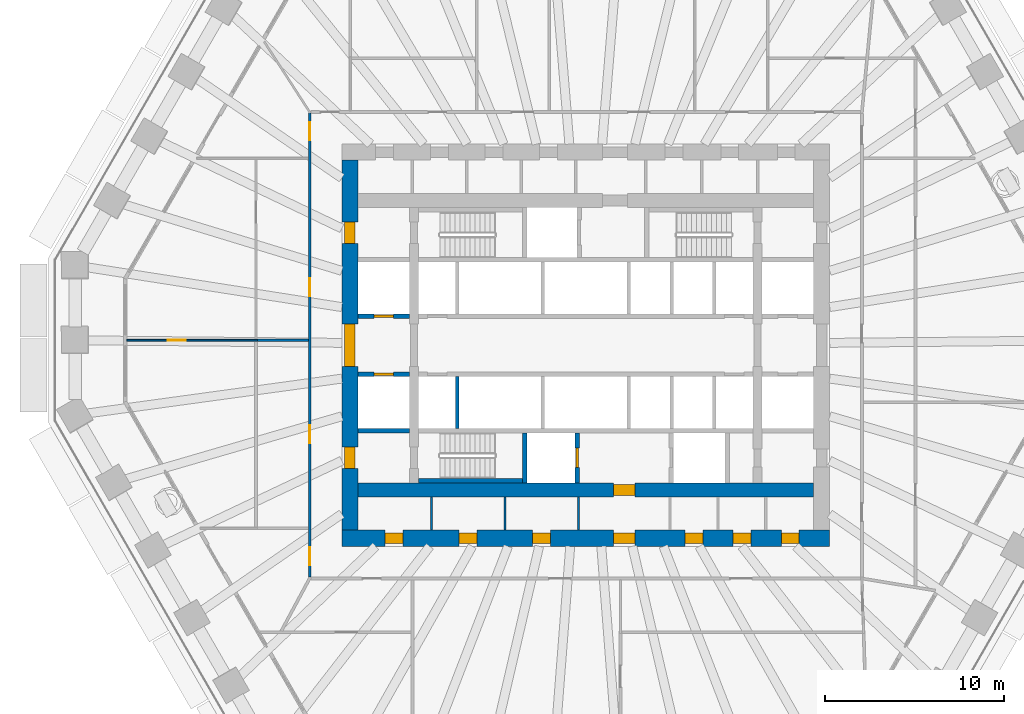
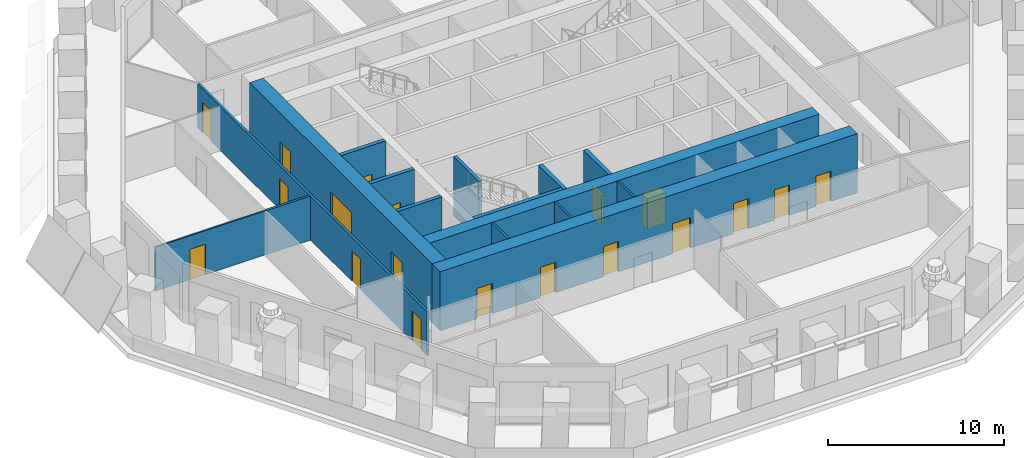
# One storey, part 4 of 13: 19 doors, 16 walls, 19 openings.
"""IFC4 building model written with IfcOpenShell, lengths in metres."""

import ifcopenshell
import ifcopenshell.guid

model = None  # the IFC model being written
_history = None  # IfcOwnerHistory: only IFC2X3 demands one
_inside = {}  # id of a spatial element -> (the spatial element, [elements in it])
_under = {}  # id of a project, library or spatial element -> (it, [spatial elements below it])
_declared = {}  # id of a project -> (the project, [libraries it declares])
_typed = {}  # id of a type object -> (the type object, [elements of that type])
_made_of = {}  # id of a material, layer set ... -> (it, [elements and type objects made of it])


def new_model(schema):
    """Start an empty IFC model of exactly this schema.

    Asked for "IFC4X3", IfcOpenShell would pick the latest addendum, in which some entities
    have other attributes; the version numbers below select the first issue.
    IFC2X3 requires an IfcOwnerHistory on every rooted entity: one is made here for all.
    """
    global model, _history
    if schema == "IFC4X3":
        model = ifcopenshell.file(schema_version=(4, 3, 0, 0))
    else:
        model = ifcopenshell.file(schema=schema)
    _inside.clear()
    _under.clear()
    _declared.clear()
    _typed.clear()
    _made_of.clear()
    _history = None
    if model.schema == "IFC2X3":
        org = make("IfcOrganization", Name="unknown")
        user = make(
            "IfcPersonAndOrganization",
            ThePerson=make("IfcPerson", FamilyName="unknown"),
            TheOrganization=org,
        )
        app = make(
            "IfcApplication",
            ApplicationDeveloper=org,
            Version="unknown",
            ApplicationFullName="unknown",
            ApplicationIdentifier="unknown",
        )
        _history = make(
            "IfcOwnerHistory",
            OwningUser=user,
            OwningApplication=app,
            ChangeAction="ADDED",
            CreationDate=0,
        )
    return model


def make(cls, **values):
    """One entity of the class cls with the attributes given. An attribute that is None is left unset."""
    return model.create_entity(
        cls, **{name: value for name, value in values.items() if value is not None}
    )


def rooted(cls, **values):
    """An entity with a GlobalId (a new one), such as an element, a storey or a relation."""
    return make(cls, GlobalId=ifcopenshell.guid.new(), OwnerHistory=_history, **values)


def si_unit(unit_type, name, prefix=None):
    """IfcSIUnit, for example si_unit("LENGTHUNIT", "METRE", prefix="MILLI")."""
    return make("IfcSIUnit", UnitType=unit_type, Prefix=prefix, Name=name)


def assignment(units):
    """IfcUnitAssignment: the units of a project."""
    return None if units is None else make("IfcUnitAssignment", Units=units)


def point(xyz):
    """IfcCartesianPoint."""
    return None if xyz is None else make("IfcCartesianPoint", Coordinates=xyz)


def direction(xyz):
    """IfcDirection."""
    return None if xyz is None else make("IfcDirection", DirectionRatios=xyz)


def frame(location, z_axis=None, x_axis=None):
    """IfcAxis2Placement3D, a coordinate frame: its origin and axes. An axis left out is left unset."""
    return make(
        "IfcAxis2Placement3D",
        Location=point(location),
        Axis=direction(z_axis),
        RefDirection=direction(x_axis),
    )


def frame_2d(location, x_axis=None):
    """IfcAxis2Placement2D, a coordinate frame in the plane: its origin and x axis."""
    return make(
        "IfcAxis2Placement2D", Location=point(location), RefDirection=direction(x_axis)
    )


def origin():
    """The frame at (0, 0, 0) with its axes left unset."""
    return frame((0.0, 0.0, 0.0))


def place(relative_to, where):
    """IfcLocalPlacement: puts the frame where relative to a parent placement (None: the world)."""
    return make(
        "IfcLocalPlacement", PlacementRelTo=relative_to, RelativePlacement=where
    )


def context(
    kind, dimensions, precision=None, world=None, true_north=None, identifier=None
):
    """IfcGeometricRepresentationContext, for example the 3D "Model" context."""
    return make(
        "IfcGeometricRepresentationContext",
        ContextIdentifier=identifier,
        ContextType=kind,
        CoordinateSpaceDimension=dimensions,
        Precision=precision,
        WorldCoordinateSystem=world,
        TrueNorth=true_north,
    )


def subcontext(parent, identifier, kind, view, scale=None):
    """IfcGeometricRepresentationSubContext, for example "Body" below "Model"."""
    return make(
        "IfcGeometricRepresentationSubContext",
        ContextIdentifier=identifier,
        ContextType=kind,
        ParentContext=parent,
        TargetScale=scale,
        TargetView=view,
    )


def project(units=None, contexts=None):
    """IfcProject with its units and contexts."""
    return rooted(
        "IfcProject",
        Name="project",
        RepresentationContexts=contexts,
        UnitsInContext=assignment(units),
    )


def spatial(cls, under=None, at=None, **own):
    """A site, building, storey or space (cls), placed at a placement, below another one or the project."""
    s = rooted(cls, ObjectPlacement=at, **own)
    if under is not None:
        _under.setdefault(under.id(), (under, []))[1].append(s)
    return s


def profile(cls, at=None, kind="AREA", **sizes):
    """A parametric profile (cls). Its sizes go by their IFC names, for example OverallWidth=200.0."""
    return make(cls, ProfileType=kind, Position=at, **sizes)


def rectangle(**sizes):
    """IfcRectangleProfileDef."""
    return profile("IfcRectangleProfileDef", **sizes)


def extrude(swept, where, along, depth):
    """IfcExtrudedAreaSolid: the profile swept, set in the frame where, extruded along a direction by depth."""
    return make(
        "IfcExtrudedAreaSolid",
        SweptArea=swept,
        Position=where,
        ExtrudedDirection=direction(along),
        Depth=depth,
    )


def shape(context_of_items, identifier, shape_type, items):
    """IfcShapeRepresentation: the items that make up one representation, for example the "Body"."""
    return make(
        "IfcShapeRepresentation",
        ContextOfItems=context_of_items,
        RepresentationIdentifier=identifier,
        RepresentationType=shape_type,
        Items=items,
    )


def material(Name=None, Category=None):
    """IfcMaterial."""
    return make("IfcMaterial", Name=Name, Category=Category)


def layer(
    of_material, thickness, ventilated=None, Name=None, Category=None, Priority=None
):
    """IfcMaterialLayer: one layer of a wall or slab, of a material (None: an air gap)."""
    return make(
        "IfcMaterialLayer",
        Material=of_material,
        LayerThickness=thickness,
        IsVentilated=ventilated,
        Name=Name,
        Category=Category,
        Priority=Priority,
    )


def layer_set(layers, Name=None):
    """IfcMaterialLayerSet."""
    return make("IfcMaterialLayerSet", MaterialLayers=layers, LayerSetName=Name)


def made_of(thing, what):
    """Note that an element or type object is made of a material, layer set ...; save() writes the relation."""
    if what is not None:
        _made_of.setdefault(what.id(), (what, []))[1].append(thing)
    return thing


def type_object(cls, material=None, **own):
    """A type object (cls), such as IfcWallType, which elements share."""
    return made_of(rooted(cls, **own), material)


def element(
    cls,
    number,
    at=None,
    inside=None,
    cuts=None,
    type_object=None,
    material=None,
    context=None,
    identifier="Body",
    shape_type=None,
    held_by="IfcProductDefinitionShape",
    body=None,
    shapes=None,
    **own,
):
    """One element of the class cls, such as IfcWall. Its Tag is "e" and its number.

    at: its placement. inside: the storey or other place that contains it. cuts: it is an
    opening in that element (IfcRelVoidsElement). A single representation is given by context,
    identifier, shape_type and body (its items); several are given by shapes. held_by: the class
    of the entity that holds the representations. save() writes the other relations.
    """
    e = rooted(cls, Tag="e%d" % number, ObjectPlacement=at, **own)
    if body is not None:
        shapes = [shape(context, identifier, shape_type, body)]
    if shapes is not None:
        e.Representation = make(held_by, Representations=shapes)
    if inside is not None:
        _inside.setdefault(inside.id(), (inside, []))[1].append(e)
    if cuts is not None:
        rooted(
            "IfcRelVoidsElement", RelatingBuildingElement=cuts, RelatedOpeningElement=e
        )
    if type_object is not None:
        _typed.setdefault(type_object.id(), (type_object, []))[1].append(e)
    return made_of(e, material)


def fill(opening, filler):
    """IfcRelFillsElement: the door or window that sits in an opening."""
    return rooted(
        "IfcRelFillsElement",
        RelatingOpeningElement=opening,
        RelatedBuildingElement=filler,
    )


def aggregate(whole, parts):
    """IfcRelAggregates: a whole, such as a stair, and the parts it consists of."""
    return rooted("IfcRelAggregates", RelatingObject=whole, RelatedObjects=parts)


def save(model, path):
    """Write the relations noted so far, then the file.

    IfcRelAggregates (storeys below a building ...), IfcRelContainedInSpatialStructure (elements
    in a storey), IfcRelDefinesByType, IfcRelAssociatesMaterial and IfcRelDeclares: one each for
    every whole, place, type object, material and project.
    """
    for whole, parts in _under.values():
        aggregate(whole, parts)
    for where, things in _inside.values():
        rooted(
            "IfcRelContainedInSpatialStructure",
            RelatedElements=things,
            RelatingStructure=where,
        )
    for kind, things in _typed.values():
        rooted("IfcRelDefinesByType", RelatedObjects=things, RelatingType=kind)
    for what, things in _made_of.values():
        rooted("IfcRelAssociatesMaterial", RelatedObjects=things, RelatingMaterial=what)
    for by, libraries in _declared.values():
        rooted("IfcRelDeclares", RelatingContext=by, RelatedDefinitions=libraries)
    model.write(path)


model = new_model("IFC4")

# Units and contexts
model_context = context("Model", 3, precision=1e-05, world=origin(), true_north=direction((0.0, 1.0)))
body_context = subcontext(model_context, "Body", "Model", "MODEL_VIEW")
ifc_project = project(units=[si_unit("LENGTHUNIT", "METRE"), si_unit("AREAUNIT", "SQUARE_METRE"), si_unit("VOLUMEUNIT", "CUBIC_METRE"), si_unit("PLANEANGLEUNIT", "RADIAN"), si_unit("MASSUNIT", "GRAM", prefix="KILO")], contexts=[model_context])

# Site, building, storey
site_placement = place(None, origin())
site = spatial("IfcSite", under=ifc_project, at=site_placement, CompositionType="ELEMENT")
building_placement = place(site_placement, origin())
building = spatial("IfcBuilding", under=site, at=building_placement, Name="Frailejon Research Tower", CompositionType="ELEMENT")
storey_placement = place(building_placement, frame((0.0, 0.0, 23.39990234375)))
storey = spatial("IfcBuildingStorey", under=building, at=storey_placement, Name="L05", CompositionType="ELEMENT", Elevation=23.39990234375)

# Walls
ifc_material_1 = material(Name="Plasterboard on steel studs", Category="steel")
ifc_layer_1 = layer(ifc_material_1, 0.125)
ifc_layer_set_1 = layer_set([ifc_layer_1], Name="Core partition 125")
wall_type_1 = type_object("IfcWallType", Name="Core partition 125", PredefinedType="PARTITIONING", material=ifc_layer_set_1)
for number, where, z_axis, x_axis, name in (
    (1, (-8.637451171875, -10.35009765625, 0.0), (0.0, 0.0, 1.0), (0.0, 1.0, 0.0), "Core partition"),
    (2, (-4.52490234375, -10.35009765625, 0.0), (0.0, 0.0, 1.0), (0.0, 1.0, 0.0), "Core partition"),
    (3, (-0.41259765625, -10.35009765625, 0.0), (0.0, 0.0, 1.0), (0.0, 1.0, 0.0), "Core partition"),
):
    element("IfcWall", number, at=place(storey_placement, frame(where, z_axis=z_axis, x_axis=x_axis)), inside=storey, type_object=wall_type_1, Name=name, PredefinedType="PARTITIONING", context=body_context, shape_type="SweptSolid", body=[
        extrude(rectangle(XDim=1.85009765625, YDim=0.125, at=frame_2d((0.925048828125, 0.0))), origin(), (0.0, 0.0, 1.0), 4.10009765625),
    ])

# Wall, opening, door
ifc_material_2 = material(Name="Concrete C70/85", Category="concrete")
ifc_layer_2 = layer(ifc_material_2, 0.800048828125)
ifc_layer_set_2 = layer_set([ifc_layer_2], Name="Core shear wall 800 C70/85")
wall_type_2 = type_object("IfcWallType", Name="Core shear wall 800 C70/85", PredefinedType="SHEAR", material=ifc_layer_set_2)
wall_1_placement = place(storey_placement, frame((-12.75, -8.10009765625, 0.0), z_axis=(0.0, 0.0, 1.0), x_axis=(1.0, 0.0, 0.0)))
wall_1 = element("IfcWall", 4, at=wall_1_placement, inside=storey, type_object=wall_type_2, Name="Core shear wall", PredefinedType="SHEAR", context=body_context, shape_type="SweptSolid", body=[
    extrude(rectangle(XDim=25.5, YDim=0.800048828125, at=frame_2d((12.75, 0.0))), origin(), (0.0, 0.0, 1.0), 4.10009765625),
])
opening_1_placement = place(wall_1_placement, frame((14.300048828125, 0.0, 0.0)))
opening_1 = element("IfcOpeningElement", 5, at=opening_1_placement, cuts=wall_1, Name="Opening D3", PredefinedType="OPENING", context=body_context, shape_type="SweptSolid", body=[
    extrude(rectangle(XDim=1.199951171875, YDim=2.10009765625, at=frame_2d((0.60009765625, 1.050048828125))), frame((0.0, 0.409912109375, 0.0), z_axis=(0.0, -1.0, 0.0), x_axis=(1.0, 0.0, 0.0)), (0.0, 0.0, 1.0), 0.820068359375),
])
ifc_material_3 = material(Name="Steel", Category="steel")
door_type_1 = type_object("IfcDoorType", Name="Firefighting lobby door", OperationType="SINGLE_SWING_LEFT", PredefinedType="DOOR", material=ifc_material_3)
door_1_placement = place(opening_1_placement, origin())
door_1 = element("IfcDoor", 6, at=door_1_placement, inside=storey, type_object=door_type_1, Name="Firefighting lobby door", OperationType="SINGLE_SWING_LEFT", OverallHeight=2.10009765625, OverallWidth=1.199951171875, PredefinedType="DOOR", context=body_context, shape_type="SweptSolid", body=[
    extrude(rectangle(XDim=1.199951171875, YDim=2.10009765625, at=frame_2d((0.60009765625, 1.050048828125))), frame((0.0, 0.300048828125, 0.0), z_axis=(0.0, -1.0, 0.0), x_axis=(1.0, 0.0, 0.0)), (0.0, 0.0, 1.0), 0.60009765625),
])
fill(opening_1, door_1)

# Wall, openings, doors
ifc_material_4 = material(Name="Concrete C70/85", Category="concrete")
ifc_layer_3 = layer(ifc_material_4, 0.89990234375)
ifc_layer_set_3 = layer_set([ifc_layer_3], Name="Core shear wall 900 C70/85")
wall_type_3 = type_object("IfcWallType", Name="Core shear wall 900 C70/85", PredefinedType="SHEAR", material=ifc_layer_set_3)
wall_2_placement = place(storey_placement, frame((-13.64990234375, -10.800048828125, 0.0), z_axis=(0.0, 0.0, 1.0), x_axis=(1.0, 0.0, 0.0)))
wall_2 = element("IfcWall", 7, at=wall_2_placement, inside=storey, type_object=wall_type_3, Name="Core shear wall", PredefinedType="SHEAR", context=body_context, shape_type="SweptSolid", body=[
    extrude(rectangle(XDim=27.2998046875, YDim=0.89990234375, at=frame_2d((13.64990234375, 0.0))), origin(), (0.0, 0.0, 1.0), 4.10009765625),
])
opening_2_placement = place(wall_2_placement, frame((2.425048828125, 0.0, 0.0)))
opening_2 = element("IfcOpeningElement", 8, at=opening_2_placement, cuts=wall_2, Name="Opening D4", PredefinedType="OPENING", context=body_context, shape_type="SweptSolid", body=[
    extrude(rectangle(XDim=1.0, YDim=2.10009765625, at=frame_2d((0.5, 1.050048828125))), frame((0.0, 0.4599609375, 0.0), z_axis=(0.0, -1.0, 0.0), x_axis=(1.0, 0.0, 0.0)), (0.0, 0.0, 1.0), 0.919921875),
])
opening_3_placement = place(wall_2_placement, frame((6.568603515625, 0.0, 0.0)))
opening_3 = element("IfcOpeningElement", 9, at=opening_3_placement, cuts=wall_2, Name="Opening D4", PredefinedType="OPENING", context=body_context, shape_type="SweptSolid", body=[
    extrude(rectangle(XDim=1.0, YDim=2.10009765625, at=frame_2d((0.5, 1.050048828125))), frame((0.0, 0.4599609375, 0.0), z_axis=(0.0, -1.0, 0.0), x_axis=(1.0, 0.0, 0.0)), (0.0, 0.0, 1.0), 0.919921875),
])
opening_4_placement = place(wall_2_placement, frame((10.68115234375, 0.0, 0.0)))
opening_4 = element("IfcOpeningElement", 10, at=opening_4_placement, cuts=wall_2, Name="Opening D4", PredefinedType="OPENING", context=body_context, shape_type="SweptSolid", body=[
    extrude(rectangle(XDim=1.0, YDim=2.10009765625, at=frame_2d((0.5, 1.050048828125))), frame((0.0, 0.4599609375, 0.0), z_axis=(0.0, -1.0, 0.0), x_axis=(1.0, 0.0, 0.0)), (0.0, 0.0, 1.0), 0.919921875),
])
opening_5_placement = place(wall_2_placement, frame((19.2021484375, 0.0, 0.0)))
opening_5 = element("IfcOpeningElement", 11, at=opening_5_placement, cuts=wall_2, Name="Opening D4", PredefinedType="OPENING", context=body_context, shape_type="SweptSolid", body=[
    extrude(rectangle(XDim=1.0, YDim=2.10009765625, at=frame_2d((0.5, 1.050048828125))), frame((0.0, 0.4599609375, 0.0), z_axis=(0.0, -1.0, 0.0), x_axis=(1.0, 0.0, 0.0)), (0.0, 0.0, 1.0), 0.919921875),
])
opening_6_placement = place(wall_2_placement, frame((21.881103515625, 0.0, 0.0)))
opening_6 = element("IfcOpeningElement", 12, at=opening_6_placement, cuts=wall_2, Name="Opening D4", PredefinedType="OPENING", context=body_context, shape_type="SweptSolid", body=[
    extrude(rectangle(XDim=1.0, YDim=2.10009765625, at=frame_2d((0.5, 1.050048828125))), frame((0.0, 0.4599609375, 0.0), z_axis=(0.0, -1.0, 0.0), x_axis=(1.0, 0.0, 0.0)), (0.0, 0.0, 1.0), 0.919921875),
])
opening_7_placement = place(wall_2_placement, frame((24.591796875, 0.0, 0.0)))
opening_7 = element("IfcOpeningElement", 13, at=opening_7_placement, cuts=wall_2, Name="Opening D4", PredefinedType="OPENING", context=body_context, shape_type="SweptSolid", body=[
    extrude(rectangle(XDim=1.0, YDim=2.10009765625, at=frame_2d((0.5, 1.050048828125))), frame((0.0, 0.4599609375, 0.0), z_axis=(0.0, -1.0, 0.0), x_axis=(1.0, 0.0, 0.0)), (0.0, 0.0, 1.0), 0.919921875),
])
opening_8_placement = place(wall_2_placement, frame((15.199951171875, 0.0, 0.0)))
opening_8 = element("IfcOpeningElement", 14, at=opening_8_placement, cuts=wall_2, Name="Opening D3", PredefinedType="OPENING", context=body_context, shape_type="SweptSolid", body=[
    extrude(rectangle(XDim=1.199951171875, YDim=2.10009765625, at=frame_2d((0.60009765625, 1.050048828125))), frame((0.0, 0.4599609375, 0.0), z_axis=(0.0, -1.0, 0.0), x_axis=(1.0, 0.0, 0.0)), (0.0, 0.0, 1.0), 0.919921875),
])
door_2_placement = place(opening_8_placement, origin())
door_2 = element("IfcDoor", 15, at=door_2_placement, inside=storey, type_object=door_type_1, Name="Passage door", OperationType="SINGLE_SWING_LEFT", OverallHeight=2.10009765625, OverallWidth=1.199951171875, PredefinedType="DOOR", context=body_context, shape_type="SweptSolid", body=[
    extrude(rectangle(XDim=1.199951171875, YDim=2.10009765625, at=frame_2d((0.60009765625, 1.050048828125))), frame((0.0, 0.300048828125, 0.0), z_axis=(0.0, -1.0, 0.0), x_axis=(1.0, 0.0, 0.0)), (0.0, 0.0, 1.0), 0.60009765625),
])
fill(opening_8, door_2)
ifc_material_5 = material(Name="Steel", Category="steel")
door_type_2 = type_object("IfcDoorType", Name="Service door", OperationType="SINGLE_SWING_LEFT", PredefinedType="DOOR", material=ifc_material_5)
door_3_placement = place(opening_2_placement, origin())
door_3 = element("IfcDoor", 16, at=door_3_placement, inside=storey, type_object=door_type_2, Name="Room door", OperationType="SINGLE_SWING_LEFT", OverallHeight=2.10009765625, OverallWidth=1.0, PredefinedType="DOOR", context=body_context, shape_type="SweptSolid", body=[
    extrude(rectangle(XDim=1.0, YDim=2.10009765625, at=frame_2d((0.5, 1.050048828125))), frame((0.0, 0.300048828125, 0.0), z_axis=(0.0, -1.0, 0.0), x_axis=(1.0, 0.0, 0.0)), (0.0, 0.0, 1.0), 0.60009765625),
])
fill(opening_2, door_3)
door_4_placement = place(opening_3_placement, origin())
door_4 = element("IfcDoor", 17, at=door_4_placement, inside=storey, type_object=door_type_2, Name="Room door", OperationType="SINGLE_SWING_RIGHT", OverallHeight=2.10009765625, OverallWidth=1.0, PredefinedType="DOOR", context=body_context, shape_type="SweptSolid", body=[
    extrude(rectangle(XDim=1.0, YDim=2.10009765625, at=frame_2d((0.5, 1.050048828125))), frame((0.0, 0.300048828125, 0.0), z_axis=(0.0, -1.0, 0.0), x_axis=(1.0, 0.0, 0.0)), (0.0, 0.0, 1.0), 0.60009765625),
])
fill(opening_3, door_4)
door_5_placement = place(opening_4_placement, origin())
door_5 = element("IfcDoor", 18, at=door_5_placement, inside=storey, type_object=door_type_2, Name="Room door", OperationType="SINGLE_SWING_LEFT", OverallHeight=2.10009765625, OverallWidth=1.0, PredefinedType="DOOR", context=body_context, shape_type="SweptSolid", body=[
    extrude(rectangle(XDim=1.0, YDim=2.10009765625, at=frame_2d((0.5, 1.050048828125))), frame((0.0, 0.300048828125, 0.0), z_axis=(0.0, -1.0, 0.0), x_axis=(1.0, 0.0, 0.0)), (0.0, 0.0, 1.0), 0.60009765625),
])
fill(opening_4, door_5)
door_6_placement = place(opening_5_placement, origin())
door_6 = element("IfcDoor", 19, at=door_6_placement, inside=storey, type_object=door_type_2, Name="Room door", OperationType="SINGLE_SWING_RIGHT", OverallHeight=2.10009765625, OverallWidth=1.0, PredefinedType="DOOR", context=body_context, shape_type="SweptSolid", body=[
    extrude(rectangle(XDim=1.0, YDim=2.10009765625, at=frame_2d((0.5, 1.050048828125))), frame((0.0, 0.300048828125, 0.0), z_axis=(0.0, -1.0, 0.0), x_axis=(1.0, 0.0, 0.0)), (0.0, 0.0, 1.0), 0.60009765625),
])
fill(opening_5, door_6)
door_7_placement = place(opening_6_placement, origin())
door_7 = element("IfcDoor", 20, at=door_7_placement, inside=storey, type_object=door_type_2, Name="Room door", OperationType="SINGLE_SWING_LEFT", OverallHeight=2.10009765625, OverallWidth=1.0, PredefinedType="DOOR", context=body_context, shape_type="SweptSolid", body=[
    extrude(rectangle(XDim=1.0, YDim=2.10009765625, at=frame_2d((0.5, 1.050048828125))), frame((0.0, 0.300048828125, 0.0), z_axis=(0.0, -1.0, 0.0), x_axis=(1.0, 0.0, 0.0)), (0.0, 0.0, 1.0), 0.60009765625),
])
fill(opening_6, door_7)
door_8_placement = place(opening_7_placement, origin())
door_8 = element("IfcDoor", 21, at=door_8_placement, inside=storey, type_object=door_type_2, Name="Room door", OperationType="SINGLE_SWING_RIGHT", OverallHeight=2.10009765625, OverallWidth=1.0, PredefinedType="DOOR", context=body_context, shape_type="SweptSolid", body=[
    extrude(rectangle(XDim=1.0, YDim=2.10009765625, at=frame_2d((0.5, 1.050048828125))), frame((0.0, 0.300048828125, 0.0), z_axis=(0.0, -1.0, 0.0), x_axis=(1.0, 0.0, 0.0)), (0.0, 0.0, 1.0), 0.60009765625),
])
fill(opening_7, door_8)

wall_3_placement = place(storey_placement, frame((-13.199951171875, -10.35009765625, 0.0), z_axis=(0.0, 0.0, 1.0), x_axis=(0.0, 1.0, 0.0)))
wall_3 = element("IfcWall", 22, at=wall_3_placement, inside=storey, type_object=wall_type_3, Name="Core shear wall", PredefinedType="SHEAR", context=body_context, shape_type="SweptSolid", body=[
    extrude(rectangle(XDim=20.7001953125, YDim=0.89990234375, at=frame_2d((10.35009765625, 0.0))), origin(), (0.0, 0.0, 1.0), 4.10009765625),
])
opening_9_placement = place(wall_3_placement, frame((9.14990234375, 0.0, 0.0)))
opening_9 = element("IfcOpeningElement", 23, at=opening_9_placement, cuts=wall_3, Name="Opening D2", PredefinedType="OPENING", context=body_context, shape_type="SweptSolid", body=[
    extrude(rectangle(XDim=2.39990234375, YDim=2.10009765625, at=frame_2d((1.199951171875, 1.050048828125))), frame((0.0, 0.4599609375, 0.0), z_axis=(0.0, -1.0, 0.0), x_axis=(1.0, 0.0, 0.0)), (0.0, 0.0, 1.0), 0.919921875),
])
opening_10_placement = place(wall_3_placement, frame((16.050048828125, 0.0, 0.0)))
opening_10 = element("IfcOpeningElement", 24, at=opening_10_placement, cuts=wall_3, Name="Opening D7", PredefinedType="OPENING", context=body_context, shape_type="SweptSolid", body=[
    extrude(rectangle(XDim=1.199951171875, YDim=2.10009765625, at=frame_2d((0.60009765625, 1.050048828125))), frame((0.0, 0.4599609375, 0.0), z_axis=(0.0, -1.0, 0.0), x_axis=(1.0, 0.0, 0.0)), (0.0, 0.0, 1.0), 0.919921875),
])
opening_11_placement = place(wall_3_placement, frame((3.449951171875, 0.0, 0.0)))
opening_11 = element("IfcOpeningElement", 25, at=opening_11_placement, cuts=wall_3, Name="Opening D7", PredefinedType="OPENING", context=body_context, shape_type="SweptSolid", body=[
    extrude(rectangle(XDim=1.199951171875, YDim=2.10009765625, at=frame_2d((0.60009765625, 1.050048828125))), frame((0.0, 0.4599609375, 0.0), z_axis=(0.0, -1.0, 0.0), x_axis=(1.0, 0.0, 0.0)), (0.0, 0.0, 1.0), 0.919921875),
])
ifc_material_6 = material(Name="Steel", Category="steel")
door_type_3 = type_object("IfcDoorType", Name="Lobby double door", OperationType="DOUBLE_DOOR_SINGLE_SWING", PredefinedType="DOOR", material=ifc_material_6)
door_9_placement = place(opening_9_placement, origin())
door_9 = element("IfcDoor", 26, at=door_9_placement, inside=storey, type_object=door_type_3, Name="Lobby door", OperationType="DOUBLE_DOOR_SINGLE_SWING", OverallHeight=2.10009765625, OverallWidth=2.39990234375, PredefinedType="DOOR", context=body_context, shape_type="SweptSolid", body=[
    extrude(rectangle(XDim=2.39990234375, YDim=2.10009765625, at=frame_2d((1.199951171875, 1.050048828125))), frame((0.0, 0.300048828125, 0.0), z_axis=(0.0, -1.0, 0.0), x_axis=(1.0, 0.0, 0.0)), (0.0, 0.0, 1.0), 0.60009765625),
])
fill(opening_9, door_9)
ifc_material_7 = material(Name="Steel", Category="steel")
door_type_4 = type_object("IfcDoorType", Name="Stair exit door", OperationType="SINGLE_SWING_LEFT", PredefinedType="DOOR", material=ifc_material_7)
door_10_placement = place(opening_10_placement, origin())
door_10 = element("IfcDoor", 27, at=door_10_placement, inside=storey, type_object=door_type_4, Name="Stair exit door ST1", OperationType="SINGLE_SWING_RIGHT", OverallHeight=2.10009765625, OverallWidth=1.199951171875, PredefinedType="DOOR", context=body_context, shape_type="SweptSolid", body=[
    extrude(rectangle(XDim=1.199951171875, YDim=2.10009765625, at=frame_2d((0.60009765625, 1.050048828125))), frame((0.0, 0.300048828125, 0.0), z_axis=(0.0, -1.0, 0.0), x_axis=(1.0, 0.0, 0.0)), (0.0, 0.0, 1.0), 0.60009765625),
])
fill(opening_10, door_10)
door_11_placement = place(opening_11_placement, origin())
door_11 = element("IfcDoor", 28, at=door_11_placement, inside=storey, type_object=door_type_4, Name="Stair exit door ST2", OperationType="SINGLE_SWING_RIGHT", OverallHeight=2.10009765625, OverallWidth=1.199951171875, PredefinedType="DOOR", context=body_context, shape_type="SweptSolid", body=[
    extrude(rectangle(XDim=1.199951171875, YDim=2.10009765625, at=frame_2d((0.60009765625, 1.050048828125))), frame((0.0, 0.300048828125, 0.0), z_axis=(0.0, -1.0, 0.0), x_axis=(1.0, 0.0, 0.0)), (0.0, 0.0, 1.0), 0.60009765625),
])
fill(opening_11, door_11)

ifc_material_8 = material(Name="Gypsum board and masonry partition", Category="masonry")
ifc_layer_4 = layer(ifc_material_8, 0.14990234375)
ifc_layer_set_4 = layer_set([ifc_layer_4], Name="Corridor wall EI 60, gypsum on steel studs 150")
wall_type_4 = type_object("IfcWallType", Name="Corridor wall EI 60, gypsum on steel studs 150", PredefinedType="PARTITIONING", material=ifc_layer_set_4)
wall_4_placement = place(storey_placement, frame((-15.449951171875, -12.97509765625, 0.0), z_axis=(0.0, 0.0, 1.0), x_axis=(0.0, 1.0, 0.0)))
wall_4 = element("IfcWall", 29, at=wall_4_placement, inside=storey, type_object=wall_type_4, Name="T:IW:L05:003", PredefinedType="PARTITIONING", context=body_context, shape_type="SweptSolid", body=[
    extrude(rectangle(XDim=25.97509765625, YDim=0.14990234375, at=frame_2d((12.987548828125, 0.0))), origin(), (0.0, 0.0, 1.0), 3.050048828125),
])
opening_12_placement = place(wall_4_placement, frame((24.4521484375, 0.0, 0.0)))
opening_12 = element("IfcOpeningElement", 30, at=opening_12_placement, cuts=wall_4, Name="Opening D1279", PredefinedType="OPENING", context=body_context, shape_type="SweptSolid", body=[
    extrude(rectangle(XDim=1.0, YDim=2.10009765625, at=frame_2d((0.5, 1.050048828125))), frame((0.0, 0.0849609375, 0.0), z_axis=(0.0, -1.0, 0.0), x_axis=(1.0, 0.0, 0.0)), (0.0, 0.0, 1.0), 0.169921875),
])
opening_13_placement = place(wall_4_placement, frame((15.72216796875, 0.0, 0.0)))
opening_13 = element("IfcOpeningElement", 31, at=opening_13_placement, cuts=wall_4, Name="Opening D1280", PredefinedType="OPENING", context=body_context, shape_type="SweptSolid", body=[
    extrude(rectangle(XDim=1.0, YDim=2.10009765625, at=frame_2d((0.5, 1.050048828125))), frame((0.0, 0.0849609375, 0.0), z_axis=(0.0, -1.0, 0.0), x_axis=(1.0, 0.0, 0.0)), (0.0, 0.0, 1.0), 0.169921875),
])
opening_14_placement = place(wall_4_placement, frame((7.494384765625, 0.0, 0.0)))
opening_14 = element("IfcOpeningElement", 32, at=opening_14_placement, cuts=wall_4, Name="Opening D1283", PredefinedType="OPENING", context=body_context, shape_type="SweptSolid", body=[
    extrude(rectangle(XDim=1.0, YDim=2.10009765625, at=frame_2d((0.5, 1.050048828125))), frame((0.0, 0.0849609375, 0.0), z_axis=(0.0, -1.0, 0.0), x_axis=(1.0, 0.0, 0.0)), (0.0, 0.0, 1.0), 0.169921875),
])
opening_15_placement = place(wall_4_placement, frame((0.664306640625, 0.0, 0.0)))
opening_15 = element("IfcOpeningElement", 33, at=opening_15_placement, cuts=wall_4, Name="Opening D1284", PredefinedType="OPENING", context=body_context, shape_type="SweptSolid", body=[
    extrude(rectangle(XDim=1.0, YDim=2.10009765625, at=frame_2d((0.5, 1.050048828125))), frame((0.0, 0.0849609375, 0.0), z_axis=(0.0, -1.0, 0.0), x_axis=(1.0, 0.0, 0.0)), (0.0, 0.0, 1.0), 0.169921875),
])
ifc_material_9 = material(Name="Timber door leaf", Category="wood")
door_type_5 = type_object("IfcDoorType", Name="Door laboratory, timber, vision panel 1000", OperationType="NOTDEFINED", PredefinedType="DOOR", material=ifc_material_9)
door_12_placement = place(opening_14_placement, origin())
door_12 = element("IfcDoor", 34, at=door_12_placement, inside=storey, type_object=door_type_5, Name="D1283", OperationType="SINGLE_SWING_RIGHT", OverallHeight=2.10009765625, OverallWidth=1.0, PredefinedType="DOOR", context=body_context, shape_type="SweptSolid", body=[
    extrude(rectangle(XDim=1.0, YDim=2.10009765625, at=frame_2d((0.5, 1.050048828125))), frame((0.0, 0.02490234375, 0.0), z_axis=(0.0, -1.0, 0.0), x_axis=(1.0, 0.0, 0.0)), (0.0, 0.0, 1.0), 0.050048828125),
])
fill(opening_14, door_12)
ifc_material_10 = material(Name="Timber door leaf", Category="wood")
door_type_6 = type_object("IfcDoorType", Name="Door single leaf, timber, steel frame 1000", OperationType="NOTDEFINED", PredefinedType="DOOR", material=ifc_material_10)
door_13_placement = place(opening_12_placement, origin())
door_13 = element("IfcDoor", 35, at=door_13_placement, inside=storey, type_object=door_type_6, Name="D1279", OperationType="SINGLE_SWING_LEFT", OverallHeight=2.10009765625, OverallWidth=1.0, PredefinedType="DOOR", context=body_context, shape_type="SweptSolid", body=[
    extrude(rectangle(XDim=1.0, YDim=2.10009765625, at=frame_2d((0.5, 1.050048828125))), frame((0.0, 0.02490234375, 0.0), z_axis=(0.0, -1.0, 0.0), x_axis=(1.0, 0.0, 0.0)), (0.0, 0.0, 1.0), 0.050048828125),
])
fill(opening_12, door_13)
door_14_placement = place(opening_13_placement, origin())
door_14 = element("IfcDoor", 36, at=door_14_placement, inside=storey, type_object=door_type_6, Name="D1280", OperationType="SINGLE_SWING_LEFT", OverallHeight=2.10009765625, OverallWidth=1.0, PredefinedType="DOOR", context=body_context, shape_type="SweptSolid", body=[
    extrude(rectangle(XDim=1.0, YDim=2.10009765625, at=frame_2d((0.5, 1.050048828125))), frame((0.0, 0.02490234375, 0.0), z_axis=(0.0, -1.0, 0.0), x_axis=(1.0, 0.0, 0.0)), (0.0, 0.0, 1.0), 0.050048828125),
])
fill(opening_13, door_14)
door_15_placement = place(opening_15_placement, origin())
door_15 = element("IfcDoor", 37, at=door_15_placement, inside=storey, type_object=door_type_6, Name="D1284", OperationType="SINGLE_SWING_LEFT", OverallHeight=2.10009765625, OverallWidth=1.0, PredefinedType="DOOR", context=body_context, shape_type="SweptSolid", body=[
    extrude(rectangle(XDim=1.0, YDim=2.10009765625, at=frame_2d((0.5, 1.050048828125))), frame((0.0, 0.02490234375, 0.0), z_axis=(0.0, -1.0, 0.0), x_axis=(1.0, 0.0, 0.0)), (0.0, 0.0, 1.0), 0.050048828125),
])
fill(opening_15, door_15)

# Wall
ifc_material_11 = material(Name="Gypsum board and masonry partition", Category="masonry")
ifc_layer_5 = layer(ifc_material_11, 0.14990234375)
ifc_layer_set_5 = layer_set([ifc_layer_5], Name="Laboratory partition, blockwork 150")
wall_type_5 = type_object("IfcWallType", Name="Laboratory partition, blockwork 150", PredefinedType="PARTITIONING", material=ifc_layer_set_5)
wall_5_placement = place(storey_placement, frame((-18.375, 0.276611328125, 0.0), z_axis=(0.0, 0.0, 1.0), x_axis=(1.0, 0.0, 0.0)))
element("IfcWall", 38, at=wall_5_placement, inside=storey, type_object=wall_type_5, Name="T:IW:L05:015", PredefinedType="PARTITIONING", context=body_context, shape_type="SweptSolid", body=[
    extrude(rectangle(XDim=2.85009765625, YDim=0.14990234375, at=frame_2d((1.425048828125, 0.0))), origin(), (0.0, 0.0, 1.0), 3.050048828125),
])

# Wall, opening, door
ifc_material_12 = material(Name="Gypsum board and masonry partition", Category="masonry")
ifc_layer_6 = layer(ifc_material_12, 0.10009765625)
ifc_layer_set_6 = layer_set([ifc_layer_6], Name="Partition, gypsum on steel studs 100")
wall_type_6 = type_object("IfcWallType", Name="Partition, gypsum on steel studs 100", PredefinedType="PARTITIONING", material=ifc_layer_set_6)
wall_6_placement = place(storey_placement, frame((-25.672607421875, 0.276611328125, 0.0), z_axis=(0.0, 0.0, 1.0), x_axis=(1.0, 0.0, 0.0)))
wall_6 = element("IfcWall", 39, at=wall_6_placement, inside=storey, type_object=wall_type_6, Name="T:IW:L05:031", PredefinedType="PARTITIONING", context=body_context, shape_type="SweptSolid", body=[
    extrude(rectangle(XDim=7.297607421875, YDim=0.10009765625, at=frame_2d((3.64892578125, 0.0))), origin(), (0.0, 0.0, 1.0), 3.050048828125),
])
opening_16_placement = place(wall_6_placement, frame((2.282958984375, 0.0, 0.0)))
opening_16 = element("IfcOpeningElement", 40, at=opening_16_placement, cuts=wall_6, Name="Opening D1282", PredefinedType="OPENING", context=body_context, shape_type="SweptSolid", body=[
    extrude(rectangle(XDim=1.0, YDim=2.10009765625, at=frame_2d((0.5, 1.050048828125))), frame((0.0, 0.06005859375, 0.0), z_axis=(0.0, -1.0, 0.0), x_axis=(1.0, 0.0, 0.0)), (0.0, 0.0, 1.0), 0.1201171875),
])
door_16_placement = place(opening_16_placement, origin())
door_16 = element("IfcDoor", 41, at=door_16_placement, inside=storey, type_object=door_type_6, Name="D1282", OperationType="SINGLE_SWING_RIGHT", OverallHeight=2.10009765625, OverallWidth=1.0, PredefinedType="DOOR", context=body_context, shape_type="SweptSolid", body=[
    extrude(rectangle(XDim=1.0, YDim=2.10009765625, at=frame_2d((0.5, 1.050048828125))), frame((0.0, 0.02490234375, 0.0), z_axis=(0.0, -1.0, 0.0), x_axis=(1.0, 0.0, 0.0)), (0.0, 0.0, 1.0), 0.050048828125),
])
fill(opening_16, door_16)

# Wall
ifc_material_13 = material(Name="Concrete C70/85", Category="concrete")
ifc_layer_7 = layer(ifc_material_13, 0.199951171875)
ifc_layer_set_7 = layer_set([ifc_layer_7], Name="Shaft wall 200 C70/85")
wall_type_7 = type_object("IfcWallType", Name="Shaft wall 200 C70/85", PredefinedType="SOLIDWALL", material=ifc_layer_set_7)
wall_7_placement = place(storey_placement, frame((-7.199951171875, -4.64990234375, 0.0), z_axis=(0.0, 0.0, 1.0), x_axis=(0.0, 1.0, 0.0)))
element("IfcWall", 42, at=wall_7_placement, inside=storey, type_object=wall_type_7, Name="Shaft wall", PredefinedType="SOLIDWALL", context=body_context, shape_type="SweptSolid", body=[
    extrude(rectangle(XDim=2.89990234375, YDim=0.199951171875, at=frame_2d((1.449951171875, 0.0))), origin(), (0.0, 0.0, 1.0), 4.10009765625),
])

# Wall, opening, door
ifc_material_14 = material(Name="Concrete C70/85", Category="concrete")
ifc_layer_8 = layer(ifc_material_14, 0.25)
ifc_layer_set_8 = layer_set([ifc_layer_8], Name="Shaft wall 250 C70/85")
wall_type_8 = type_object("IfcWallType", Name="Shaft wall 250 C70/85", PredefinedType="SOLIDWALL", material=ifc_layer_set_8)
wall_8_placement = place(storey_placement, frame((-12.75, 1.625, 0.0), z_axis=(0.0, 0.0, 1.0), x_axis=(1.0, 0.0, 0.0)))
wall_8 = element("IfcWall", 43, at=wall_8_placement, inside=storey, type_object=wall_type_8, Name="Shaft wall", PredefinedType="SOLIDWALL", context=body_context, shape_type="SweptSolid", body=[
    extrude(rectangle(XDim=2.89990234375, YDim=0.25, at=frame_2d((1.449951171875, 0.0))), origin(), (0.0, 0.0, 1.0), 4.10009765625),
])
opening_17_placement = place(wall_8_placement, frame((0.89990234375, 0.0, 0.0)))
opening_17 = element("IfcOpeningElement", 44, at=opening_17_placement, cuts=wall_8, Name="Opening LD", PredefinedType="OPENING", context=body_context, shape_type="SweptSolid", body=[
    extrude(rectangle(XDim=1.10009765625, YDim=2.10009765625, at=frame_2d((0.550048828125, 1.050048828125))), frame((0.0, 0.135009765625, 0.0), z_axis=(0.0, -1.0, 0.0), x_axis=(1.0, 0.0, 0.0)), (0.0, 0.0, 1.0), 0.27001953125),
])
ifc_material_15 = material(Name="Steel", Category="steel")
door_type_7 = type_object("IfcDoorType", Name="Lift landing door", OperationType="DOUBLE_DOOR_SLIDING", PredefinedType="DOOR", material=ifc_material_15)
door_17_placement = place(opening_17_placement, origin())
door_17 = element("IfcDoor", 45, at=door_17_placement, inside=storey, type_object=door_type_7, Name="Lift landing door", OperationType="DOUBLE_DOOR_SLIDING", OverallHeight=2.10009765625, OverallWidth=1.10009765625, PredefinedType="DOOR", context=body_context, shape_type="SweptSolid", body=[
    extrude(rectangle(XDim=1.10009765625, YDim=2.10009765625, at=frame_2d((0.550048828125, 1.050048828125))), frame((0.0, 0.074951171875, 0.0), z_axis=(0.0, -1.0, 0.0), x_axis=(1.0, 0.0, 0.0)), (0.0, 0.0, 1.0), 0.14990234375),
])
fill(opening_17, door_17)

wall_9_placement = place(storey_placement, frame((-12.75, -1.625, 0.0), z_axis=(0.0, 0.0, 1.0), x_axis=(1.0, 0.0, 0.0)))
wall_9 = element("IfcWall", 46, at=wall_9_placement, inside=storey, type_object=wall_type_8, Name="Shaft wall", PredefinedType="SOLIDWALL", context=body_context, shape_type="SweptSolid", body=[
    extrude(rectangle(XDim=2.89990234375, YDim=0.25, at=frame_2d((1.449951171875, 0.0))), origin(), (0.0, 0.0, 1.0), 4.10009765625),
])
opening_18_placement = place(wall_9_placement, frame((0.89990234375, 0.0, 0.0)))
opening_18 = element("IfcOpeningElement", 47, at=opening_18_placement, cuts=wall_9, Name="Opening LD", PredefinedType="OPENING", context=body_context, shape_type="SweptSolid", body=[
    extrude(rectangle(XDim=1.10009765625, YDim=2.10009765625, at=frame_2d((0.550048828125, 1.050048828125))), frame((0.0, 0.135009765625, 0.0), z_axis=(0.0, -1.0, 0.0), x_axis=(1.0, 0.0, 0.0)), (0.0, 0.0, 1.0), 0.27001953125),
])
door_18_placement = place(opening_18_placement, origin())
door_18 = element("IfcDoor", 48, at=door_18_placement, inside=storey, type_object=door_type_7, Name="Lift landing door", OperationType="DOUBLE_DOOR_SLIDING", OverallHeight=2.10009765625, OverallWidth=1.10009765625, PredefinedType="DOOR", context=body_context, shape_type="SweptSolid", body=[
    extrude(rectangle(XDim=1.10009765625, YDim=2.10009765625, at=frame_2d((0.550048828125, 1.050048828125))), frame((0.0, 0.074951171875, 0.0), z_axis=(0.0, -1.0, 0.0), x_axis=(1.0, 0.0, 0.0)), (0.0, 0.0, 1.0), 0.14990234375),
])
fill(opening_18, door_18)

# Walls
wall_10_placement = place(storey_placement, frame((-12.75, -4.77490234375, 0.0), z_axis=(0.0, 0.0, 1.0), x_axis=(1.0, 0.0, 0.0)))
element("IfcWall", 49, at=wall_10_placement, inside=storey, type_object=wall_type_8, Name="Shaft wall", PredefinedType="SOLIDWALL", context=body_context, shape_type="SweptSolid", body=[
    extrude(rectangle(XDim=2.89990234375, YDim=0.25, at=frame_2d((1.449951171875, 0.0))), origin(), (0.0, 0.0, 1.0), 4.10009765625),
])
wall_11_placement = place(storey_placement, frame((-9.35009765625, -7.574951171875, 0.0), z_axis=(0.0, 0.0, 1.0), x_axis=(1.0, 0.0, 0.0)))
element("IfcWall", 50, at=wall_11_placement, inside=storey, type_object=wall_type_8, Name="Shaft wall", PredefinedType="SOLIDWALL", context=body_context, shape_type="SweptSolid", body=[
    extrude(rectangle(XDim=5.800048828125, YDim=0.25, at=frame_2d((2.89990234375, 0.0))), origin(), (0.0, 0.0, 1.0), 4.10009765625),
])
wall_12_placement = place(storey_placement, frame((-3.425048828125, -7.699951171875, 0.0), z_axis=(0.0, 0.0, 1.0), x_axis=(0.0, 1.0, 0.0)))
element("IfcWall", 51, at=wall_12_placement, inside=storey, type_object=wall_type_8, Name="Shaft wall", PredefinedType="SOLIDWALL", context=body_context, shape_type="SweptSolid", body=[
    extrude(rectangle(XDim=2.800048828125, YDim=0.25, at=frame_2d((1.39990234375, 0.0))), origin(), (0.0, 0.0, 1.0), 4.10009765625),
])

# Wall, opening, door
wall_13_placement = place(storey_placement, frame((-0.47509765625, -7.699951171875, 0.0), z_axis=(0.0, 0.0, 1.0), x_axis=(0.0, 1.0, 0.0)))
wall_13 = element("IfcWall", 52, at=wall_13_placement, inside=storey, type_object=wall_type_8, Name="Shaft wall", PredefinedType="SOLIDWALL", context=body_context, shape_type="SweptSolid", body=[
    extrude(rectangle(XDim=2.800048828125, YDim=0.25, at=frame_2d((1.39990234375, 0.0))), origin(), (0.0, 0.0, 1.0), 4.10009765625),
])
opening_19_placement = place(wall_13_placement, frame((0.85009765625, 0.0, 0.0)))
opening_19 = element("IfcOpeningElement", 53, at=opening_19_placement, cuts=wall_13, Name="Opening LD", PredefinedType="OPENING", context=body_context, shape_type="SweptSolid", body=[
    extrude(rectangle(XDim=1.10009765625, YDim=2.10009765625, at=frame_2d((0.550048828125, 1.050048828125))), frame((0.0, 0.135009765625, 0.0), z_axis=(0.0, -1.0, 0.0), x_axis=(1.0, 0.0, 0.0)), (0.0, 0.0, 1.0), 0.27001953125),
])
door_19_placement = place(opening_19_placement, origin())
door_19 = element("IfcDoor", 54, at=door_19_placement, inside=storey, type_object=door_type_7, Name="Lift landing door", OperationType="DOUBLE_DOOR_SLIDING", OverallHeight=2.10009765625, OverallWidth=1.10009765625, PredefinedType="DOOR", context=body_context, shape_type="SweptSolid", body=[
    extrude(rectangle(XDim=1.10009765625, YDim=2.10009765625, at=frame_2d((0.550048828125, 1.050048828125))), frame((0.0, 0.074951171875, 0.0), z_axis=(0.0, -1.0, 0.0), x_axis=(1.0, 0.0, 0.0)), (0.0, 0.0, 1.0), 0.14990234375),
])
fill(opening_19, door_19)

save(model, "model.ifc")
